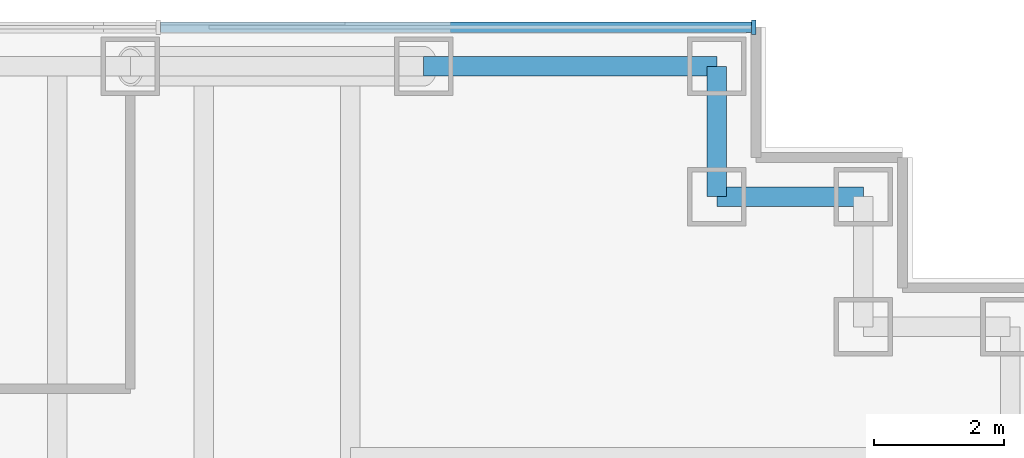
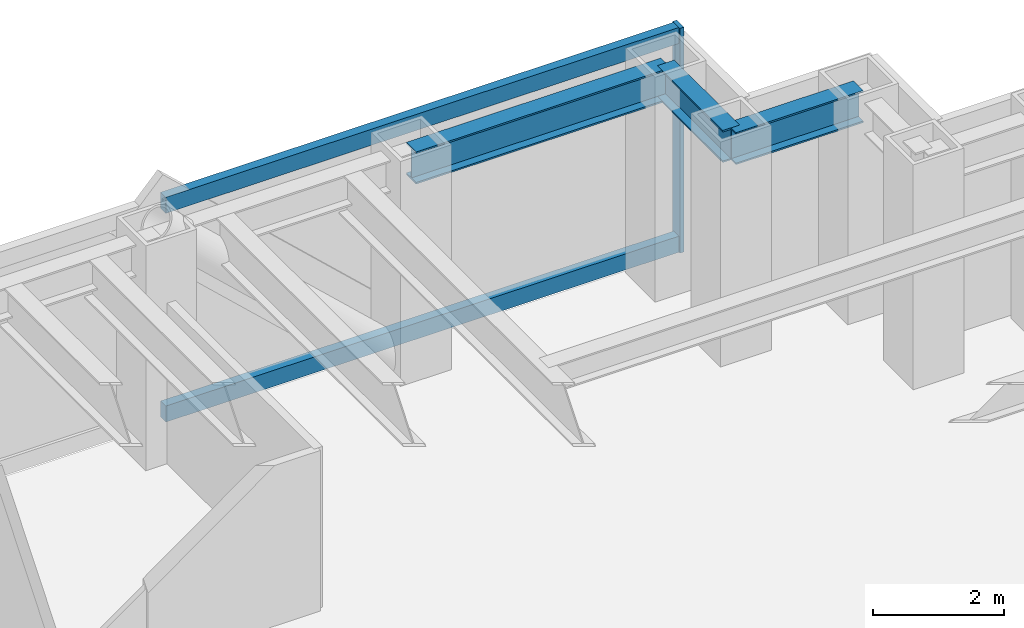
# One storey, part 9 of 15: 3 beams, 3 members, 1 element without a shape of its own.
"""IFC4 building model written with IfcOpenShell, lengths in metres."""

from ifc_helpers import new_model, si_unit, direction, frame, origin, origin_2d, place, context, subcontext, project, spatial, rectangle, i_section, extrude, material, material_profile, profile_set, type_object, element, aggregate, save


model = new_model("IFC4")

# Units and contexts
model_context = context("Model", 3, precision=1e-05, world=origin(), true_north=direction((0.0, 1.0)))
body_context = subcontext(model_context, "Body", "Model", "MODEL_VIEW")
ifc_project = project(units=[si_unit("LENGTHUNIT", "METRE"), si_unit("AREAUNIT", "SQUARE_METRE"), si_unit("VOLUMEUNIT", "CUBIC_METRE"), si_unit("PLANEANGLEUNIT", "RADIAN"), si_unit("MASSUNIT", "GRAM", prefix="KILO")], contexts=[model_context])

# Site, building, storey
site_placement = place(None, origin())
site = spatial("IfcSite", under=ifc_project, at=site_placement, CompositionType="ELEMENT")
building_placement = place(site_placement, origin())
building = spatial("IfcBuilding", under=site, at=building_placement, Name="Rheinbord Bourse Tower", CompositionType="ELEMENT")
storey_placement = place(building_placement, frame((0.0, 0.0, 248.800048828125)))
storey = spatial("IfcBuildingStorey", under=building, at=storey_placement, Name="L56", CompositionType="ELEMENT", Elevation=248.800048828125)

# Curtain wall, members
ifc_material_1 = material(Name="Dark glass and black aluminium", Category="aluminium")
curtain_wall_type = type_object("IfcCurtainWallType", Name="CW2 DARK GLASS CURTAIN WALL", PredefinedType="USERDEFINED", material=ifc_material_1)
curtain_wall_placement = place(storey_placement, origin())
curtain_wall = element("IfcCurtainWall", 1, at=curtain_wall_placement, inside=storey, type_object=curtain_wall_type, Name="Curtain wall CW2 N L56", ObjectType="UNITISED CURTAIN WALL", PredefinedType="USERDEFINED")
ifc_material_2 = material(Name="Black anodised aluminium", Category="aluminium")
ifc_material_profile_1 = material_profile(ifc_material_2, rectangle(XDim=0.219970703125, YDim=0.070068359375, at=origin_2d()), Name="CW2 MULLION 70x220")
ifc_profile_set_1 = profile_set([ifc_material_profile_1], Name="Black anodised aluminium")
member_type_1 = type_object("IfcMemberType", Name="CW2 BLACK MULLION", PredefinedType="MULLION", material=ifc_profile_set_1)
member_1_placement = place(storey_placement, frame((68.06494140625, 44.60009765625, 0.0), z_axis=(0.0, 0.0, 1.0), x_axis=(0.0, -1.0, 0.0)))
member_1 = element("IfcMember", 2, at=member_1_placement, type_object=member_type_1, Name="CW2 mullion 1", PredefinedType="MULLION", context=body_context, shape_type="SweptSolid", body=[
    extrude(rectangle(XDim=0.219970703125, YDim=0.070068359375, at=origin_2d()), origin(), (0.0, 0.0, 1.0), 4.199951171875),
])
ifc_material_3 = material(Name="Black anodised aluminium", Category="aluminium")
ifc_material_profile_2 = material_profile(ifc_material_3, rectangle(XDim=0.159912109375, YDim=0.300048828125, at=origin_2d()), Name="CW2 TRANSOM 300x160")
ifc_profile_set_2 = profile_set([ifc_material_profile_2], Name="Black anodised aluminium")
member_type_2 = type_object("IfcMemberType", Name="CW2 BLACK TRANSOM", PredefinedType="USERDEFINED", material=ifc_profile_set_2)
member_2_placement = place(storey_placement, frame((68.030029296875, 44.60009765625, 0.14990234375), z_axis=(-1.0, 0.0, 0.0), x_axis=(0.0, -1.0, 0.0)))
member_2 = element("IfcMember", 3, at=member_2_placement, type_object=member_type_2, Name="CW2 transom 1.1", ObjectType="TRANSOM", PredefinedType="USERDEFINED", context=body_context, shape_type="SweptSolid", body=[
    extrude(rectangle(XDim=0.159912109375, YDim=0.300048828125, at=origin_2d()), origin(), (0.0, 0.0, 1.0), 9.06640625),
])
member_3_placement = place(storey_placement, frame((68.030029296875, 44.60009765625, 4.050048828125), z_axis=(-1.0, 0.0, 0.0), x_axis=(0.0, -1.0, 0.0)))
member_3 = element("IfcMember", 4, at=member_3_placement, type_object=member_type_2, Name="CW2 transom 1.2", ObjectType="TRANSOM", PredefinedType="USERDEFINED", context=body_context, shape_type="SweptSolid", body=[
    extrude(rectangle(XDim=0.159912109375, YDim=0.300048828125, at=origin_2d()), origin(), (0.0, 0.0, 1.0), 9.06640625),
])
aggregate(curtain_wall, [member_1, member_2, member_3])

# Beams
ifc_material_4 = material(Name="Steel S460", Category="steel")
ifc_material_profile_3 = material_profile(ifc_material_4, i_section(OverallWidth=0.300048828125, OverallDepth=0.60009765625, WebThickness=0.015380859375, FlangeThickness=0.030029296875, at=origin_2d()), Name="HEB 600")
ifc_profile_set_3 = profile_set([ifc_material_profile_3], Name="Steel S460")
beam_type = type_object("IfcBeamType", Name="SPANDREL HEB 600", PredefinedType="SPANDREL", material=ifc_profile_set_3)
beam_1_placement = place(storey_placement, frame((69.75, 42.0, 3.739990234375), z_axis=(-1.0, 0.0, 0.0), x_axis=(0.0, -1.0, 0.0)))
element("IfcBeam", 5, at=beam_1_placement, inside=storey, type_object=beam_type, Name="Spandrel NE-C-NE-D under L57", PredefinedType="SPANDREL", context=body_context, shape_type="SweptSolid", body=[
    extrude(i_section(OverallWidth=0.300048828125, OverallDepth=0.60009765625, WebThickness=0.015380859375, FlangeThickness=0.030029296875, at=origin_2d()), origin(), (0.0, 0.0, 1.0), 2.25),
])
beam_2_placement = place(storey_placement, frame((67.5, 42.0, 3.739990234375), z_axis=(0.0, 1.0, 0.0), x_axis=(-1.0, 0.0, 0.0)))
element("IfcBeam", 6, at=beam_2_placement, inside=storey, type_object=beam_type, Name="Spandrel NE-D-NE-E under L57", PredefinedType="SPANDREL", context=body_context, shape_type="SweptSolid", body=[
    extrude(i_section(OverallWidth=0.300048828125, OverallDepth=0.60009765625, WebThickness=0.015380859375, FlangeThickness=0.030029296875, at=origin_2d()), origin(), (0.0, 0.0, 1.0), 2.0),
])
beam_3_placement = place(storey_placement, frame((67.5, 44.0, 3.739990234375), z_axis=(-1.0, 0.0, 0.0), x_axis=(0.0, -1.0, 0.0)))
element("IfcBeam", 7, at=beam_3_placement, inside=storey, type_object=beam_type, Name="Spandrel NE-E-N-63 under L57", PredefinedType="SPANDREL", context=body_context, shape_type="SweptSolid", body=[
    extrude(i_section(OverallWidth=0.300048828125, OverallDepth=0.60009765625, WebThickness=0.015380859375, FlangeThickness=0.030029296875, at=origin_2d()), origin(), (0.0, 0.0, 1.0), 4.5),
])

save(model, "model.ifc")
